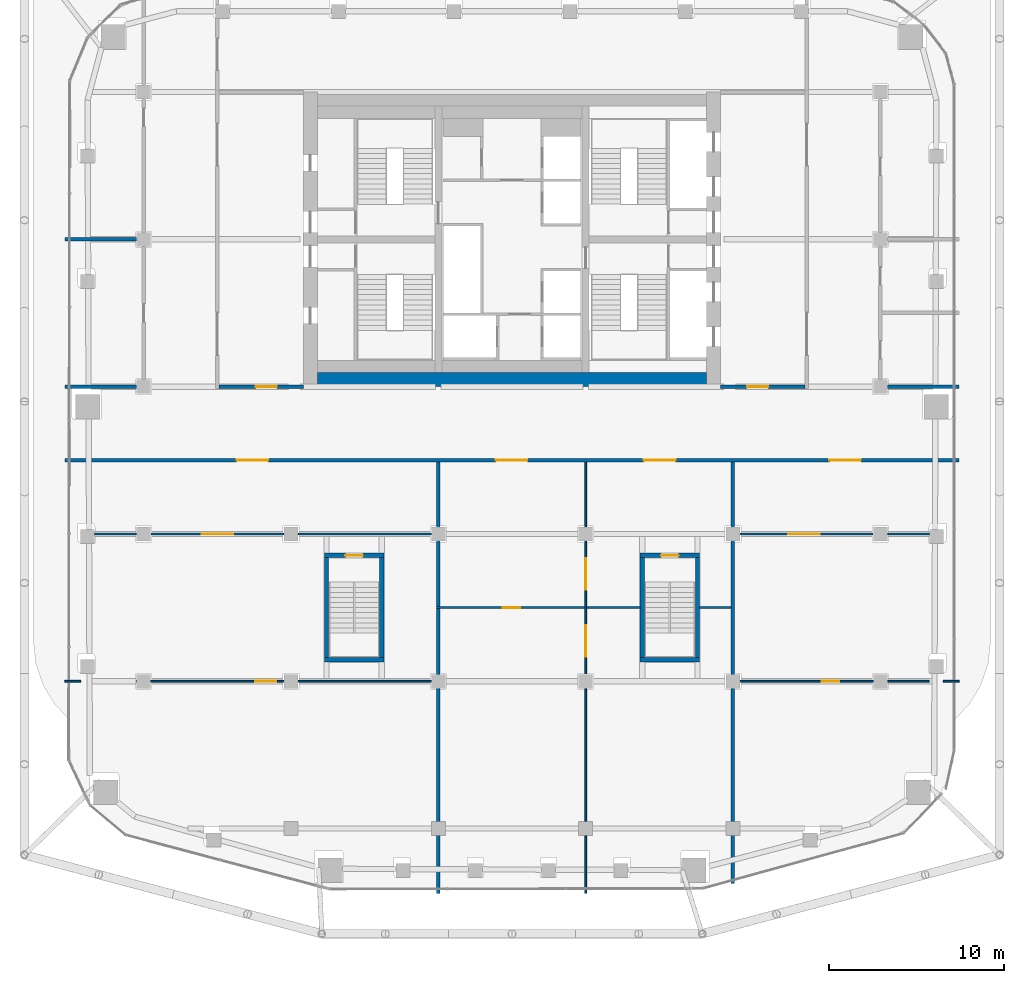
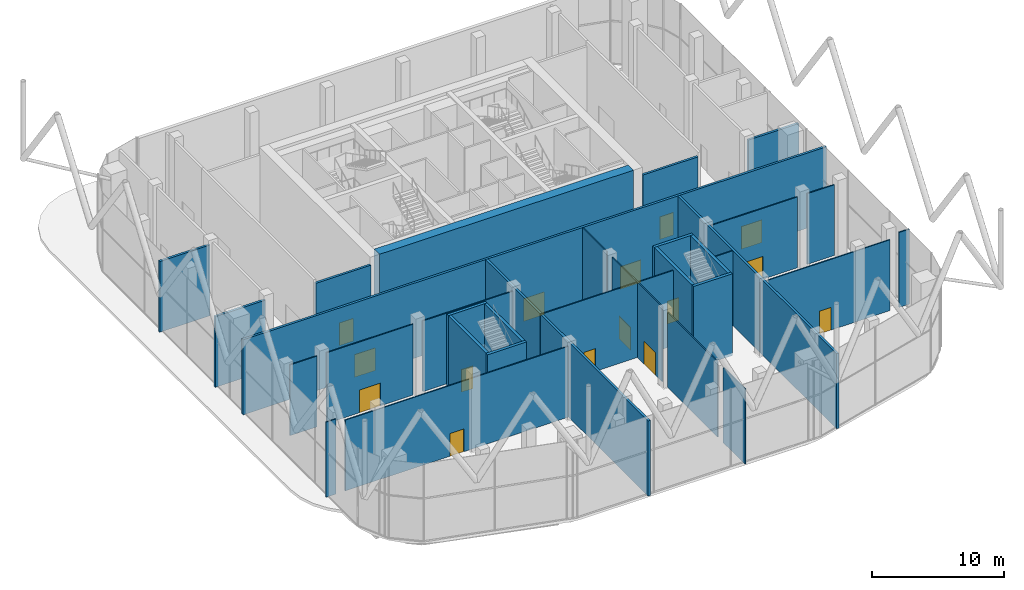
# One storey, part 19 of 25: 32 walls, 15 doors, 15 openings.
"""IFC4 building model written with IfcOpenShell, lengths in metres."""

from ifc_helpers import new_model, si_unit, direction, frame, frame_2d, origin, place, context, subcontext, project, spatial, rectangle, extrude, material, layer, layer_set, type_object, element, fill, save


model = new_model("IFC4")

# Units and contexts
model_context = context("Model", 3, precision=1e-05, world=origin(), true_north=direction((0.0, 1.0)))
body_context = subcontext(model_context, "Body", "Model", "MODEL_VIEW")
ifc_project = project(units=[si_unit("LENGTHUNIT", "METRE"), si_unit("AREAUNIT", "SQUARE_METRE"), si_unit("VOLUMEUNIT", "CUBIC_METRE"), si_unit("PLANEANGLEUNIT", "RADIAN"), si_unit("MASSUNIT", "GRAM", prefix="KILO")], contexts=[model_context])

# Site, building, storey
site_placement = place(None, origin())
site = spatial("IfcSite", under=ifc_project, at=site_placement, CompositionType="ELEMENT")
building_placement = place(site_placement, origin())
building = spatial("IfcBuilding", under=site, at=building_placement, Name="Marenta Gate Hotel Tower", CompositionType="ELEMENT")
storey_placement = place(building_placement, frame((0.0, 0.0, 180.5)))
storey = spatial("IfcBuildingStorey", under=building, at=storey_placement, Name="L41", CompositionType="ELEMENT", Elevation=180.5)

# Wall, opening, door
ifc_material_1 = material(Name="Concrete blockwork", Category="masonry")
ifc_layer_1 = layer(ifc_material_1, 0.199951171875)
ifc_layer_set_1 = layer_set([ifc_layer_1], Name="Concrete blockwork")
wall_type_1 = type_object("IfcWallType", Name="Core boundary wall 200 REI 180", PredefinedType="PARTITIONING", material=ifc_layer_set_1)
wall_1_placement = place(storey_placement, frame((-16.699951171875, 0.0, 0.0), z_axis=(0.0, 0.0, 1.0), x_axis=(1.0, 0.0, 0.0)))
wall_1 = element("IfcWall", 1, at=wall_1_placement, inside=storey, type_object=wall_type_1, Name="L41-CP-EW-WS", PredefinedType="PARTITIONING", context=body_context, shape_type="SweptSolid", body=[
    extrude(rectangle(XDim=4.800048828125, YDim=0.199951171875, at=frame_2d((2.39990234375, 0.0))), origin(), (0.0, 0.0, 1.0), 6.5400390625),
])
opening_1_placement = place(wall_1_placement, frame((2.10009765625, 0.0, 0.0)))
opening_1 = element("IfcOpeningElement", 2, at=opening_1_placement, cuts=wall_1, Name="Opening RS-Z3-1", PredefinedType="OPENING", context=body_context, shape_type="SweptSolid", body=[
    extrude(rectangle(XDim=1.199951171875, YDim=2.10009765625, at=frame_2d((0.60009765625, 1.050048828125))), frame((0.0, 0.10009765625, 0.0), z_axis=(0.0, -1.0, 0.0), x_axis=(1.0, 0.0, 0.0)), (0.0, 0.0, 1.0), 0.199951171875),
])
ifc_material_2 = material(Name="Steel", Category="steel")
door_type_1 = type_object("IfcDoorType", Name="Core lobby door 1200x2100 EI 60", OperationType="SINGLE_SWING_LEFT", PredefinedType="DOOR", material=ifc_material_2)
door_1_placement = place(opening_1_placement, origin())
door_1 = element("IfcDoor", 3, at=door_1_placement, inside=storey, type_object=door_type_1, Name="RS-Z3-1", OperationType="SINGLE_SWING_LEFT", OverallHeight=2.10009765625, OverallWidth=1.199951171875, PredefinedType="DOOR", context=body_context, shape_type="SweptSolid", body=[
    extrude(rectangle(XDim=1.199951171875, YDim=2.10009765625, at=frame_2d((0.60009765625, 1.050048828125))), frame((0.0, 0.02490234375, 0.0), z_axis=(0.0, -1.0, 0.0), x_axis=(1.0, 0.0, 0.0)), (0.0, 0.0, 1.0), 0.050048828125),
])
fill(opening_1, door_1)

wall_2_placement = place(storey_placement, frame((11.89990234375, 0.0, 0.0), z_axis=(0.0, 0.0, 1.0), x_axis=(1.0, 0.0, 0.0)))
wall_2 = element("IfcWall", 4, at=wall_2_placement, inside=storey, type_object=wall_type_1, Name="L41-CP-EW-ES", PredefinedType="PARTITIONING", context=body_context, shape_type="SweptSolid", body=[
    extrude(rectangle(XDim=4.800048828125, YDim=0.199951171875, at=frame_2d((2.39990234375, 0.0))), origin(), (0.0, 0.0, 1.0), 6.5400390625),
])
opening_2_placement = place(wall_2_placement, frame((1.5, 0.0, 0.0)))
opening_2 = element("IfcOpeningElement", 5, at=opening_2_placement, cuts=wall_2, Name="Opening RS-Z3-2", PredefinedType="OPENING", context=body_context, shape_type="SweptSolid", body=[
    extrude(rectangle(XDim=1.199951171875, YDim=2.10009765625, at=frame_2d((0.60009765625, 1.050048828125))), frame((0.0, 0.10009765625, 0.0), z_axis=(0.0, -1.0, 0.0), x_axis=(1.0, 0.0, 0.0)), (0.0, 0.0, 1.0), 0.199951171875),
])
door_2_placement = place(opening_2_placement, origin())
door_2 = element("IfcDoor", 6, at=door_2_placement, inside=storey, type_object=door_type_1, Name="RS-Z3-2", OperationType="SINGLE_SWING_LEFT", OverallHeight=2.10009765625, OverallWidth=1.199951171875, PredefinedType="DOOR", context=body_context, shape_type="SweptSolid", body=[
    extrude(rectangle(XDim=1.199951171875, YDim=2.10009765625, at=frame_2d((0.60009765625, 1.050048828125))), frame((0.0, 0.02490234375, 0.0), z_axis=(0.0, -1.0, 0.0), x_axis=(1.0, 0.0, 0.0)), (0.0, 0.0, 1.0), 0.050048828125),
])
fill(opening_2, door_2)

# Walls
ifc_material_3 = material(Name="Concrete C60", Category="concrete")
ifc_layer_2 = layer(ifc_material_3, 0.800048828125)
ifc_layer_set_2 = layer_set([ifc_layer_2], Name="Concrete C60")
wall_type_2 = type_object("IfcWallType", Name="Core wall 800 C60", PredefinedType="SHEAR", material=ifc_layer_set_2)
wall_3_placement = place(storey_placement, frame((-11.10009765625, 0.39990234375, 0.0), z_axis=(0.0, 0.0, 1.0), x_axis=(1.0, 0.0, 0.0)))
element("IfcWall", 7, at=wall_3_placement, inside=storey, type_object=wall_type_2, Name="L41-CORE-S", PredefinedType="SHEAR", context=body_context, shape_type="SweptSolid", body=[
    extrude(rectangle(XDim=22.2001953125, YDim=0.800048828125, at=frame_2d((11.10009765625, 0.0))), origin(), (0.0, 0.0, 1.0), 7.199951171875),
])
ifc_material_4 = material(Name="Concrete C40", Category="concrete")
ifc_layer_3 = layer(ifc_material_4, 0.25)
ifc_layer_set_3 = layer_set([ifc_layer_3], Name="Concrete C40")
wall_type_3 = type_object("IfcWallType", Name="Remote stair enclosure wall 250 REI 180", PredefinedType="SHEAR", material=ifc_layer_set_3)
wall_4_placement = place(storey_placement, frame((-10.699951171875, -15.574951171875, -0.260009765625), z_axis=(0.0, 0.0, 1.0), x_axis=(1.0, 0.0, 0.0)))
element("IfcWall", 8, at=wall_4_placement, inside=storey, type_object=wall_type_3, Name="L41-RS-Z3-1-W1", PredefinedType="SHEAR", context=body_context, shape_type="SweptSolid", body=[
    extrude(rectangle(XDim=3.39990234375, YDim=0.25, at=frame_2d((1.699951171875, 0.0))), origin(), (0.0, 0.0, 1.0), 7.56005859375),
])

# Wall, opening, door
wall_5_placement = place(storey_placement, frame((-10.699951171875, -9.625, -0.260009765625), z_axis=(0.0, 0.0, 1.0), x_axis=(1.0, 0.0, 0.0)))
wall_5 = element("IfcWall", 9, at=wall_5_placement, inside=storey, type_object=wall_type_3, Name="L41-RS-Z3-1-W2", PredefinedType="SHEAR", context=body_context, shape_type="SweptSolid", body=[
    extrude(rectangle(XDim=3.39990234375, YDim=0.25, at=frame_2d((1.699951171875, 0.0))), origin(), (0.0, 0.0, 1.0), 7.56005859375),
])
opening_3_placement = place(wall_5_placement, frame((1.199951171875, 0.0, 0.0)))
opening_3 = element("IfcOpeningElement", 10, at=opening_3_placement, cuts=wall_5, Name="Opening VD", PredefinedType="OPENING", context=body_context, shape_type="SweptSolid", body=[
    extrude(rectangle(XDim=1.0, YDim=2.10009765625, at=frame_2d((0.5, 1.050048828125))), frame((0.0, 0.125, 0.0), z_axis=(0.0, -1.0, 0.0), x_axis=(1.0, 0.0, 0.0)), (0.0, 0.0, 1.0), 0.25),
])
ifc_material_5 = material(Name="Steel", Category="steel")
door_type_2 = type_object("IfcDoorType", Name="Stair vestibule door 1000x2100 FD60", OperationType="SINGLE_SWING_LEFT", PredefinedType="DOOR", material=ifc_material_5)
door_3_placement = place(opening_3_placement, origin())
door_3 = element("IfcDoor", 11, at=door_3_placement, inside=storey, type_object=door_type_2, Name="VD", OperationType="SINGLE_SWING_LEFT", OverallHeight=2.10009765625, OverallWidth=1.0, PredefinedType="DOOR", context=body_context, shape_type="SweptSolid", body=[
    extrude(rectangle(XDim=1.0, YDim=2.10009765625, at=frame_2d((0.5, 1.050048828125))), frame((0.0, 0.02490234375, 0.0), z_axis=(0.0, -1.0, 0.0), x_axis=(1.0, 0.0, 0.0)), (0.0, 0.0, 1.0), 0.050048828125),
])
fill(opening_3, door_3)

# Walls
for number, where, z_axis, x_axis, name in (
    (12, (-10.574951171875, -15.449951171875, -0.260009765625), (0.0, 0.0, 1.0), (0.0, 1.0, 0.0), "L41-RS-Z3-1-W3"),
    (13, (-7.425048828125, -15.449951171875, -0.260009765625), (0.0, 0.0, 1.0), (0.0, 1.0, 0.0), "L41-RS-Z3-1-W4"),
):
    element("IfcWall", number, at=place(storey_placement, frame(where, z_axis=z_axis, x_axis=x_axis)), inside=storey, type_object=wall_type_3, Name=name, PredefinedType="SHEAR", context=body_context, shape_type="SweptSolid", body=[
        extrude(rectangle(XDim=5.699951171875, YDim=0.25, at=frame_2d((2.85009765625, 0.0))), origin(), (0.0, 0.0, 1.0), 7.56005859375),
    ])
wall_6_placement = place(storey_placement, frame((7.300048828125, -15.574951171875, -0.260009765625), z_axis=(0.0, 0.0, 1.0), x_axis=(1.0, 0.0, 0.0)))
element("IfcWall", 14, at=wall_6_placement, inside=storey, type_object=wall_type_3, Name="L41-RS-Z3-2-W1", PredefinedType="SHEAR", context=body_context, shape_type="SweptSolid", body=[
    extrude(rectangle(XDim=3.39990234375, YDim=0.25, at=frame_2d((1.699951171875, 0.0))), origin(), (0.0, 0.0, 1.0), 7.56005859375),
])

# Wall, opening, door
wall_7_placement = place(storey_placement, frame((7.300048828125, -9.625, -0.260009765625), z_axis=(0.0, 0.0, 1.0), x_axis=(1.0, 0.0, 0.0)))
wall_7 = element("IfcWall", 15, at=wall_7_placement, inside=storey, type_object=wall_type_3, Name="L41-RS-Z3-2-W2", PredefinedType="SHEAR", context=body_context, shape_type="SweptSolid", body=[
    extrude(rectangle(XDim=3.39990234375, YDim=0.25, at=frame_2d((1.699951171875, 0.0))), origin(), (0.0, 0.0, 1.0), 7.56005859375),
])
opening_4_placement = place(wall_7_placement, frame((1.199951171875, 0.0, 0.0)))
opening_4 = element("IfcOpeningElement", 16, at=opening_4_placement, cuts=wall_7, Name="Opening VD", PredefinedType="OPENING", context=body_context, shape_type="SweptSolid", body=[
    extrude(rectangle(XDim=1.0, YDim=2.10009765625, at=frame_2d((0.5, 1.050048828125))), frame((0.0, 0.125, 0.0), z_axis=(0.0, -1.0, 0.0), x_axis=(1.0, 0.0, 0.0)), (0.0, 0.0, 1.0), 0.25),
])
door_4_placement = place(opening_4_placement, origin())
door_4 = element("IfcDoor", 17, at=door_4_placement, inside=storey, type_object=door_type_2, Name="VD", OperationType="SINGLE_SWING_LEFT", OverallHeight=2.10009765625, OverallWidth=1.0, PredefinedType="DOOR", context=body_context, shape_type="SweptSolid", body=[
    extrude(rectangle(XDim=1.0, YDim=2.10009765625, at=frame_2d((0.5, 1.050048828125))), frame((0.0, 0.02490234375, 0.0), z_axis=(0.0, -1.0, 0.0), x_axis=(1.0, 0.0, 0.0)), (0.0, 0.0, 1.0), 0.050048828125),
])
fill(opening_4, door_4)

# Walls
for number, where, z_axis, x_axis, name in (
    (18, (7.425048828125, -15.449951171875, -0.260009765625), (0.0, 0.0, 1.0), (0.0, 1.0, 0.0), "L41-RS-Z3-2-W3"),
    (19, (10.574951171875, -15.449951171875, -0.260009765625), (0.0, 0.0, 1.0), (0.0, 1.0, 0.0), "L41-RS-Z3-2-W4"),
):
    element("IfcWall", number, at=place(storey_placement, frame(where, z_axis=z_axis, x_axis=x_axis)), inside=storey, type_object=wall_type_3, Name=name, PredefinedType="SHEAR", context=body_context, shape_type="SweptSolid", body=[
        extrude(rectangle(XDim=5.699951171875, YDim=0.25, at=frame_2d((2.85009765625, 0.0))), origin(), (0.0, 0.0, 1.0), 7.56005859375),
    ])

# Wall, openings, doors
ifc_material_6 = material(Name="Gypsum board on steel stud", Category="steel")
ifc_layer_4 = layer(ifc_material_6, 0.199951171875)
ifc_layer_set_4 = layer_set([ifc_layer_4], Name="Gypsum board on steel stud")
wall_type_4 = type_object("IfcWallType", Name="Room corridor wall 200 EI 60", PredefinedType="PARTITIONING", material=ifc_layer_set_4)
wall_8_placement = place(storey_placement, frame((-25.5, -4.199951171875, 0.0), z_axis=(0.0, 0.0, 1.0), x_axis=(1.0, 0.0, 0.0)))
wall_8 = element("IfcWall", 20, at=wall_8_placement, inside=storey, type_object=wall_type_4, Name="L41-PTN-W020", PredefinedType="PARTITIONING", context=body_context, shape_type="SweptSolid", body=[
    extrude(rectangle(XDim=51.0, YDim=0.199951171875, at=frame_2d((25.5, 0.0))), origin(), (0.0, 0.0, 1.0), 6.93994140625),
])
opening_5_placement = place(wall_8_placement, frame((9.800048828125, 0.0, 0.0)))
opening_5 = element("IfcOpeningElement", 21, at=opening_5_placement, cuts=wall_8, Name="Opening S10-07", PredefinedType="OPENING", context=body_context, shape_type="SweptSolid", body=[
    extrude(rectangle(XDim=1.800048828125, YDim=2.10009765625, at=frame_2d((0.89990234375, 1.050048828125))), frame((0.0, 0.10009765625, 0.0), z_axis=(0.0, -1.0, 0.0), x_axis=(1.0, 0.0, 0.0)), (0.0, 0.0, 1.0), 0.199951171875),
])
opening_6_placement = place(wall_8_placement, frame((24.574951171875, 0.0, 0.0)))
opening_6 = element("IfcOpeningElement", 22, at=opening_6_placement, cuts=wall_8, Name="Opening S10-09", PredefinedType="OPENING", context=body_context, shape_type="SweptSolid", body=[
    extrude(rectangle(XDim=1.800048828125, YDim=2.10009765625, at=frame_2d((0.89990234375, 1.050048828125))), frame((0.0, 0.10009765625, 0.0), z_axis=(0.0, -1.0, 0.0), x_axis=(1.0, 0.0, 0.0)), (0.0, 0.0, 1.0), 0.199951171875),
])
opening_7_placement = place(wall_8_placement, frame((33.02490234375, 0.0, 0.0)))
opening_7 = element("IfcOpeningElement", 23, at=opening_7_placement, cuts=wall_8, Name="Opening S10-10", PredefinedType="OPENING", context=body_context, shape_type="SweptSolid", body=[
    extrude(rectangle(XDim=1.800048828125, YDim=2.10009765625, at=frame_2d((0.89990234375, 1.050048828125))), frame((0.0, 0.10009765625, 0.0), z_axis=(0.0, -1.0, 0.0), x_axis=(1.0, 0.0, 0.0)), (0.0, 0.0, 1.0), 0.199951171875),
])
opening_8_placement = place(wall_8_placement, frame((43.60009765625, 0.0, 0.0)))
opening_8 = element("IfcOpeningElement", 24, at=opening_8_placement, cuts=wall_8, Name="Opening S10-12", PredefinedType="OPENING", context=body_context, shape_type="SweptSolid", body=[
    extrude(rectangle(XDim=1.800048828125, YDim=2.10009765625, at=frame_2d((0.89990234375, 1.050048828125))), frame((0.0, 0.10009765625, 0.0), z_axis=(0.0, -1.0, 0.0), x_axis=(1.0, 0.0, 0.0)), (0.0, 0.0, 1.0), 0.199951171875),
])
ifc_material_7 = material(Name="Timber door leaf", Category="wood")
door_type_3 = type_object("IfcDoorType", Name="Room amenity door 1800x2100 EI 30", OperationType="DOUBLE_DOOR_SINGLE_SWING", PredefinedType="DOOR", material=ifc_material_7)
door_5_placement = place(opening_5_placement, origin())
door_5 = element("IfcDoor", 25, at=door_5_placement, inside=storey, type_object=door_type_3, Name="L41-PD-D007", OperationType="DOUBLE_DOOR_SINGLE_SWING", OverallHeight=2.10009765625, OverallWidth=1.800048828125, PredefinedType="DOOR", context=body_context, shape_type="SweptSolid", body=[
    extrude(rectangle(XDim=1.800048828125, YDim=2.10009765625, at=frame_2d((0.89990234375, 1.050048828125))), frame((0.0, 0.02490234375, 0.0), z_axis=(0.0, -1.0, 0.0), x_axis=(1.0, 0.0, 0.0)), (0.0, 0.0, 1.0), 0.050048828125),
])
fill(opening_5, door_5)
door_6_placement = place(opening_6_placement, origin())
door_6 = element("IfcDoor", 26, at=door_6_placement, inside=storey, type_object=door_type_3, Name="L41-PD-D009", OperationType="DOUBLE_DOOR_SINGLE_SWING", OverallHeight=2.10009765625, OverallWidth=1.800048828125, PredefinedType="DOOR", context=body_context, shape_type="SweptSolid", body=[
    extrude(rectangle(XDim=1.800048828125, YDim=2.10009765625, at=frame_2d((0.89990234375, 1.050048828125))), frame((0.0, 0.02490234375, 0.0), z_axis=(0.0, -1.0, 0.0), x_axis=(1.0, 0.0, 0.0)), (0.0, 0.0, 1.0), 0.050048828125),
])
fill(opening_6, door_6)
door_7_placement = place(opening_7_placement, origin())
door_7 = element("IfcDoor", 27, at=door_7_placement, inside=storey, type_object=door_type_3, Name="L41-PD-D010", OperationType="DOUBLE_DOOR_SINGLE_SWING", OverallHeight=2.10009765625, OverallWidth=1.800048828125, PredefinedType="DOOR", context=body_context, shape_type="SweptSolid", body=[
    extrude(rectangle(XDim=1.800048828125, YDim=2.10009765625, at=frame_2d((0.89990234375, 1.050048828125))), frame((0.0, 0.02490234375, 0.0), z_axis=(0.0, -1.0, 0.0), x_axis=(1.0, 0.0, 0.0)), (0.0, 0.0, 1.0), 0.050048828125),
])
fill(opening_7, door_7)
door_8_placement = place(opening_8_placement, origin())
door_8 = element("IfcDoor", 28, at=door_8_placement, inside=storey, type_object=door_type_3, Name="L41-PD-D012", OperationType="DOUBLE_DOOR_SINGLE_SWING", OverallHeight=2.10009765625, OverallWidth=1.800048828125, PredefinedType="DOOR", context=body_context, shape_type="SweptSolid", body=[
    extrude(rectangle(XDim=1.800048828125, YDim=2.10009765625, at=frame_2d((0.89990234375, 1.050048828125))), frame((0.0, 0.02490234375, 0.0), z_axis=(0.0, -1.0, 0.0), x_axis=(1.0, 0.0, 0.0)), (0.0, 0.0, 1.0), 0.050048828125),
])
fill(opening_8, door_8)

# Walls
for number, where, z_axis, x_axis, name in (
    (29, (-25.5, 0.0, 0.0), (0.0, 0.0, 1.0), (1.0, 0.0, 0.0), "L41-PTN-W021"),
    (30, (21.10009765625, 0.0, 0.0), (0.0, 0.0, 1.0), (1.0, 0.0, 0.0), "L41-PTN-W022"),
):
    element("IfcWall", number, at=place(storey_placement, frame(where, z_axis=z_axis, x_axis=x_axis)), inside=storey, type_object=wall_type_4, Name=name, PredefinedType="PARTITIONING", context=body_context, shape_type="SweptSolid", body=[
        extrude(rectangle(XDim=4.39990234375, YDim=0.199951171875, at=frame_2d((2.199951171875, 0.0))), origin(), (0.0, 0.0, 1.0), 6.5400390625),
    ])
ifc_material_8 = material(Name="Gypsum board on steel stud", Category="steel")
ifc_layer_5 = layer(ifc_material_8, 0.10009765625)
ifc_layer_set_5 = layer_set([ifc_layer_5], Name="Gypsum board on steel stud")
wall_type_5 = type_object("IfcWallType", Name="Room partition 100", PredefinedType="PARTITIONING", material=ifc_layer_set_5)
wall_9_placement = place(storey_placement, frame((-25.5, -16.800048828125, 0.0), z_axis=(0.0, 0.0, 1.0), x_axis=(1.0, 0.0, 0.0)))
element("IfcWall", 31, at=wall_9_placement, inside=storey, type_object=wall_type_5, Name="L41-PTN-W004", PredefinedType="PARTITIONING", context=body_context, shape_type="SweptSolid", body=[
    extrude(rectangle(XDim=0.89990234375, YDim=0.10009765625, at=frame_2d((0.449951171875, 0.0))), origin(), (0.0, 0.0, 1.0), 6.93994140625),
])

# Wall, opening, door
wall_10_placement = place(storey_placement, frame((-23.800048828125, -16.800048828125, 0.0), z_axis=(0.0, 0.0, 1.0), x_axis=(1.0, 0.0, 0.0)))
wall_10 = element("IfcWall", 32, at=wall_10_placement, inside=storey, type_object=wall_type_5, Name="L41-PTN-W005", PredefinedType="PARTITIONING", context=body_context, shape_type="SweptSolid", body=[
    extrude(rectangle(XDim=19.5, YDim=0.10009765625, at=frame_2d((9.75, 0.0))), origin(), (0.0, 0.0, 1.0), 6.5400390625),
])
opening_9_placement = place(wall_10_placement, frame((9.14990234375, 0.0, 0.0)))
opening_9 = element("IfcOpeningElement", 33, at=opening_9_placement, cuts=wall_10, Name="Opening S10-08", PredefinedType="OPENING", context=body_context, shape_type="SweptSolid", body=[
    extrude(rectangle(XDim=1.199951171875, YDim=2.10009765625, at=frame_2d((0.60009765625, 1.050048828125))), frame((0.0, 0.050048828125, 0.0), z_axis=(0.0, -1.0, 0.0), x_axis=(1.0, 0.0, 0.0)), (0.0, 0.0, 1.0), 0.10009765625),
])
ifc_material_9 = material(Name="Hollow steel door set", Category="steel")
door_type_4 = type_object("IfcDoorType", Name="Kitchen room door 1200x2100", OperationType="NOTDEFINED", PredefinedType="DOOR", material=ifc_material_9)
door_9_placement = place(opening_9_placement, origin())
door_9 = element("IfcDoor", 34, at=door_9_placement, inside=storey, type_object=door_type_4, Name="L41-PD-D008", OperationType="SINGLE_SWING_LEFT", OverallHeight=2.10009765625, OverallWidth=1.199951171875, PredefinedType="DOOR", context=body_context, shape_type="SweptSolid", body=[
    extrude(rectangle(XDim=1.199951171875, YDim=2.10009765625, at=frame_2d((0.60009765625, 1.050048828125))), frame((0.0, 0.02490234375, 0.0), z_axis=(0.0, -1.0, 0.0), x_axis=(1.0, 0.0, 0.0)), (0.0, 0.0, 1.0), 0.050048828125),
])
fill(opening_9, door_9)

wall_11_placement = place(storey_placement, frame((12.5, -16.800048828125, 0.0), z_axis=(0.0, 0.0, 1.0), x_axis=(1.0, 0.0, 0.0)))
wall_11 = element("IfcWall", 35, at=wall_11_placement, inside=storey, type_object=wall_type_5, Name="L41-PTN-W006", PredefinedType="PARTITIONING", context=body_context, shape_type="SweptSolid", body=[
    extrude(rectangle(XDim=11.300048828125, YDim=0.10009765625, at=frame_2d((5.64990234375, 0.0))), origin(), (0.0, 0.0, 1.0), 6.5400390625),
])
opening_10_placement = place(wall_11_placement, frame((5.14990234375, 0.0, 0.0)))
opening_10 = element("IfcOpeningElement", 36, at=opening_10_placement, cuts=wall_11, Name="Opening S10-13", PredefinedType="OPENING", context=body_context, shape_type="SweptSolid", body=[
    extrude(rectangle(XDim=1.0, YDim=2.10009765625, at=frame_2d((0.5, 1.050048828125))), frame((0.0, 0.050048828125, 0.0), z_axis=(0.0, -1.0, 0.0), x_axis=(1.0, 0.0, 0.0)), (0.0, 0.0, 1.0), 0.10009765625),
])
ifc_material_10 = material(Name="Hollow steel door set", Category="steel")
door_type_5 = type_object("IfcDoorType", Name="Room service door 1000x2100", OperationType="NOTDEFINED", PredefinedType="DOOR", material=ifc_material_10)
door_10_placement = place(opening_10_placement, origin())
door_10 = element("IfcDoor", 37, at=door_10_placement, inside=storey, type_object=door_type_5, Name="L41-PD-D013", OperationType="SINGLE_SWING_LEFT", OverallHeight=2.10009765625, OverallWidth=1.0, PredefinedType="DOOR", context=body_context, shape_type="SweptSolid", body=[
    extrude(rectangle(XDim=1.0, YDim=2.10009765625, at=frame_2d((0.5, 1.050048828125))), frame((0.0, 0.02490234375, 0.0), z_axis=(0.0, -1.0, 0.0), x_axis=(1.0, 0.0, 0.0)), (0.0, 0.0, 1.0), 0.050048828125),
])
fill(opening_10, door_10)

# Wall
wall_12_placement = place(storey_placement, frame((24.60009765625, -16.800048828125, 0.0), z_axis=(0.0, 0.0, 1.0), x_axis=(1.0, 0.0, 0.0)))
element("IfcWall", 38, at=wall_12_placement, inside=storey, type_object=wall_type_5, Name="L41-PTN-W007", PredefinedType="PARTITIONING", context=body_context, shape_type="SweptSolid", body=[
    extrude(rectangle(XDim=0.89990234375, YDim=0.10009765625, at=frame_2d((0.449951171875, 0.0))), origin(), (0.0, 0.0, 1.0), 6.93994140625),
])

# Wall, opening, door
wall_13_placement = place(storey_placement, frame((-4.300048828125, -12.60009765625, 0.0), z_axis=(0.0, 0.0, 1.0), x_axis=(1.0, 0.0, 0.0)))
wall_13 = element("IfcWall", 39, at=wall_13_placement, inside=storey, type_object=wall_type_5, Name="L41-PTN-W009", PredefinedType="PARTITIONING", context=body_context, shape_type="SweptSolid", body=[
    extrude(rectangle(XDim=11.60009765625, YDim=0.10009765625, at=frame_2d((5.800048828125, 0.0))), origin(), (0.0, 0.0, 1.0), 6.93994140625),
])
opening_11_placement = place(wall_13_placement, frame((3.77490234375, 0.0, 0.0)))
opening_11 = element("IfcOpeningElement", 40, at=opening_11_placement, cuts=wall_13, Name="Opening S10-11", PredefinedType="OPENING", context=body_context, shape_type="SweptSolid", body=[
    extrude(rectangle(XDim=1.0, YDim=2.10009765625, at=frame_2d((0.5, 1.050048828125))), frame((0.0, 0.050048828125, 0.0), z_axis=(0.0, -1.0, 0.0), x_axis=(1.0, 0.0, 0.0)), (0.0, 0.0, 1.0), 0.10009765625),
])
door_11_placement = place(opening_11_placement, origin())
door_11 = element("IfcDoor", 41, at=door_11_placement, inside=storey, type_object=door_type_5, Name="L41-PD-D011", OperationType="SINGLE_SWING_RIGHT", OverallHeight=2.10009765625, OverallWidth=1.0, PredefinedType="DOOR", context=body_context, shape_type="SweptSolid", body=[
    extrude(rectangle(XDim=1.0, YDim=2.10009765625, at=frame_2d((0.5, 1.050048828125))), frame((0.0, 0.02490234375, 0.0), z_axis=(0.0, -1.0, 0.0), x_axis=(1.0, 0.0, 0.0)), (0.0, 0.0, 1.0), 0.050048828125),
])
fill(opening_11, door_11)

# Walls
wall_14_placement = place(storey_placement, frame((10.699951171875, -12.60009765625, 0.0), z_axis=(0.0, 0.0, 1.0), x_axis=(1.0, 0.0, 0.0)))
element("IfcWall", 42, at=wall_14_placement, inside=storey, type_object=wall_type_5, Name="L41-PTN-W010", PredefinedType="PARTITIONING", context=body_context, shape_type="SweptSolid", body=[
    extrude(rectangle(XDim=1.800048828125, YDim=0.10009765625, at=frame_2d((0.89990234375, 0.0))), origin(), (0.0, 0.0, 1.0), 6.93994140625),
])
wall_15_placement = place(storey_placement, frame((-23.800048828125, -8.39990234375, 0.0), z_axis=(0.0, 0.0, 1.0), x_axis=(1.0, 0.0, 0.0)))
element("IfcWall", 43, at=wall_15_placement, inside=storey, type_object=wall_type_5, Name="L41-PTN-W011", PredefinedType="PARTITIONING", context=body_context, shape_type="SweptSolid", body=[
    extrude(rectangle(XDim=2.380126953125, YDim=0.10009765625, at=frame_2d((1.18994140625, 0.0))), origin(), (0.0, 0.0, 1.0), 6.5400390625),
])

# Wall, opening, door
wall_16_placement = place(storey_placement, frame((-20.580078125, -8.39990234375, 0.0), z_axis=(0.0, 0.0, 1.0), x_axis=(1.0, 0.0, 0.0)))
wall_16 = element("IfcWall", 44, at=wall_16_placement, inside=storey, type_object=wall_type_5, Name="L41-PTN-W012", PredefinedType="PARTITIONING", context=body_context, shape_type="SweptSolid", body=[
    extrude(rectangle(XDim=7.56005859375, YDim=0.10009765625, at=frame_2d((3.780029296875, 0.0))), origin(), (0.0, 0.0, 1.0), 6.5400390625),
])
opening_12_placement = place(wall_16_placement, frame((2.8798828125, 0.0, 0.0)))
opening_12 = element("IfcOpeningElement", 45, at=opening_12_placement, cuts=wall_16, Name="Opening S10-14", PredefinedType="OPENING", context=body_context, shape_type="SweptSolid", body=[
    extrude(rectangle(XDim=1.800048828125, YDim=2.10009765625, at=frame_2d((0.89990234375, 1.050048828125))), frame((0.0, 0.050048828125, 0.0), z_axis=(0.0, -1.0, 0.0), x_axis=(1.0, 0.0, 0.0)), (0.0, 0.0, 1.0), 0.10009765625),
])
ifc_material_11 = material(Name="Timber door leaf", Category="wood")
door_type_6 = type_object("IfcDoorType", Name="Room amenity door 1800x2100", OperationType="DOUBLE_DOOR_SINGLE_SWING", PredefinedType="DOOR", material=ifc_material_11)
door_12_placement = place(opening_12_placement, origin())
door_12 = element("IfcDoor", 46, at=door_12_placement, inside=storey, type_object=door_type_6, Name="L41-PD-D014", OperationType="DOUBLE_DOOR_SINGLE_SWING", OverallHeight=2.10009765625, OverallWidth=1.800048828125, PredefinedType="DOOR", context=body_context, shape_type="SweptSolid", body=[
    extrude(rectangle(XDim=1.800048828125, YDim=2.10009765625, at=frame_2d((0.89990234375, 1.050048828125))), frame((0.0, 0.02490234375, 0.0), z_axis=(0.0, -1.0, 0.0), x_axis=(1.0, 0.0, 0.0)), (0.0, 0.0, 1.0), 0.050048828125),
])
fill(opening_12, door_12)

# Wall
wall_17_placement = place(storey_placement, frame((-12.179931640625, -8.39990234375, 0.0), z_axis=(0.0, 0.0, 1.0), x_axis=(1.0, 0.0, 0.0)))
element("IfcWall", 47, at=wall_17_placement, inside=storey, type_object=wall_type_5, Name="L41-PTN-W013", PredefinedType="PARTITIONING", context=body_context, shape_type="SweptSolid", body=[
    extrude(rectangle(XDim=7.8798828125, YDim=0.10009765625, at=frame_2d((3.93994140625, 0.0))), origin(), (0.0, 0.0, 1.0), 6.5400390625),
])

# Wall, opening, door
wall_18_placement = place(storey_placement, frame((12.699951171875, -8.39990234375, 0.0), z_axis=(0.0, 0.0, 1.0), x_axis=(1.0, 0.0, 0.0)))
wall_18 = element("IfcWall", 48, at=wall_18_placement, inside=storey, type_object=wall_type_5, Name="L41-PTN-W014", PredefinedType="PARTITIONING", context=body_context, shape_type="SweptSolid", body=[
    extrude(rectangle(XDim=7.880126953125, YDim=0.10009765625, at=frame_2d((3.93994140625, 0.0))), origin(), (0.0, 0.0, 1.0), 6.5400390625),
])
opening_13_placement = place(wall_18_placement, frame((3.0400390625, 0.0, 0.0)))
opening_13 = element("IfcOpeningElement", 49, at=opening_13_placement, cuts=wall_18, Name="Opening S10-17", PredefinedType="OPENING", context=body_context, shape_type="SweptSolid", body=[
    extrude(rectangle(XDim=1.800048828125, YDim=2.10009765625, at=frame_2d((0.89990234375, 1.050048828125))), frame((0.0, 0.050048828125, 0.0), z_axis=(0.0, -1.0, 0.0), x_axis=(1.0, 0.0, 0.0)), (0.0, 0.0, 1.0), 0.10009765625),
])
door_13_placement = place(opening_13_placement, origin())
door_13 = element("IfcDoor", 50, at=door_13_placement, inside=storey, type_object=door_type_6, Name="L41-PD-D017", OperationType="DOUBLE_DOOR_SINGLE_SWING", OverallHeight=2.10009765625, OverallWidth=1.800048828125, PredefinedType="DOOR", context=body_context, shape_type="SweptSolid", body=[
    extrude(rectangle(XDim=1.800048828125, YDim=2.10009765625, at=frame_2d((0.89990234375, 1.050048828125))), frame((0.0, 0.02490234375, 0.0), z_axis=(0.0, -1.0, 0.0), x_axis=(1.0, 0.0, 0.0)), (0.0, 0.0, 1.0), 0.050048828125),
])
fill(opening_13, door_13)

# Walls
wall_19_placement = place(storey_placement, frame((21.419921875, -8.39990234375, 0.0), z_axis=(0.0, 0.0, 1.0), x_axis=(1.0, 0.0, 0.0)))
element("IfcWall", 51, at=wall_19_placement, inside=storey, type_object=wall_type_5, Name="L41-PTN-W015", PredefinedType="PARTITIONING", context=body_context, shape_type="SweptSolid", body=[
    extrude(rectangle(XDim=2.380126953125, YDim=0.10009765625, at=frame_2d((1.18994140625, 0.0))), origin(), (0.0, 0.0, 1.0), 6.5400390625),
])
wall_20_placement = place(storey_placement, frame((4.199951171875, -28.89990234375, 0.0), z_axis=(0.0, 0.0, 1.0), x_axis=(0.0, 1.0, 0.0)))
element("IfcWall", 52, at=wall_20_placement, inside=storey, type_object=wall_type_5, Name="L41-PTN-W016", PredefinedType="PARTITIONING", context=body_context, shape_type="SweptSolid", body=[
    extrude(rectangle(XDim=3.27978515625, YDim=0.10009765625, at=frame_2d((1.639892578125, 0.0))), origin(), (0.0, 0.0, 1.0), 6.93994140625),
])
wall_21_placement = place(storey_placement, frame((4.199951171875, -24.780029296875, 0.0), z_axis=(0.0, 0.0, 1.0), x_axis=(0.0, 1.0, 0.0)))
element("IfcWall", 53, at=wall_21_placement, inside=storey, type_object=wall_type_5, Name="L41-PTN-W017", PredefinedType="PARTITIONING", context=body_context, shape_type="SweptSolid", body=[
    extrude(rectangle(XDim=7.56005859375, YDim=0.10009765625, at=frame_2d((3.780029296875, 0.0))), origin(), (0.0, 0.0, 1.0), 6.93994140625),
])

# Wall, openings, doors
wall_22_placement = place(storey_placement, frame((4.199951171875, -16.3798828125, 0.0), z_axis=(0.0, 0.0, 1.0), x_axis=(0.0, 1.0, 0.0)))
wall_22 = element("IfcWall", 54, at=wall_22_placement, inside=storey, type_object=wall_type_5, Name="L41-PTN-W018", PredefinedType="PARTITIONING", context=body_context, shape_type="SweptSolid", body=[
    extrude(rectangle(XDim=7.559814453125, YDim=0.10009765625, at=frame_2d((3.77978515625, 0.0))), origin(), (0.0, 0.0, 1.0), 6.93994140625),
])
opening_14_placement = place(wall_22_placement, frame((4.794921875, 0.0, 0.0)))
opening_14 = element("IfcOpeningElement", 55, at=opening_14_placement, cuts=wall_22, Name="Opening S10-15", PredefinedType="OPENING", context=body_context, shape_type="SweptSolid", body=[
    extrude(rectangle(XDim=1.800048828125, YDim=2.10009765625, at=frame_2d((0.89990234375, 1.050048828125))), frame((0.0, 0.050048828125, 0.0), z_axis=(0.0, -1.0, 0.0), x_axis=(1.0, 0.0, 0.0)), (0.0, 0.0, 1.0), 0.10009765625),
])
opening_15_placement = place(wall_22_placement, frame((0.965087890625, 0.0, 0.0)))
opening_15 = element("IfcOpeningElement", 56, at=opening_15_placement, cuts=wall_22, Name="Opening S10-16", PredefinedType="OPENING", context=body_context, shape_type="SweptSolid", body=[
    extrude(rectangle(XDim=1.800048828125, YDim=2.10009765625, at=frame_2d((0.89990234375, 1.050048828125))), frame((0.0, 0.050048828125, 0.0), z_axis=(0.0, -1.0, 0.0), x_axis=(1.0, 0.0, 0.0)), (0.0, 0.0, 1.0), 0.10009765625),
])
door_14_placement = place(opening_14_placement, origin())
door_14 = element("IfcDoor", 57, at=door_14_placement, inside=storey, type_object=door_type_6, Name="L41-PD-D015", OperationType="DOUBLE_DOOR_SINGLE_SWING", OverallHeight=2.10009765625, OverallWidth=1.800048828125, PredefinedType="DOOR", context=body_context, shape_type="SweptSolid", body=[
    extrude(rectangle(XDim=1.800048828125, YDim=2.10009765625, at=frame_2d((0.89990234375, 1.050048828125))), frame((0.0, 0.02490234375, 0.0), z_axis=(0.0, -1.0, 0.0), x_axis=(1.0, 0.0, 0.0)), (0.0, 0.0, 1.0), 0.050048828125),
])
fill(opening_14, door_14)
door_15_placement = place(opening_15_placement, origin())
door_15 = element("IfcDoor", 58, at=door_15_placement, inside=storey, type_object=door_type_6, Name="L41-PD-D016", OperationType="DOUBLE_DOOR_SINGLE_SWING", OverallHeight=2.10009765625, OverallWidth=1.800048828125, PredefinedType="DOOR", context=body_context, shape_type="SweptSolid", body=[
    extrude(rectangle(XDim=1.800048828125, YDim=2.10009765625, at=frame_2d((0.89990234375, 1.050048828125))), frame((0.0, 0.02490234375, 0.0), z_axis=(0.0, -1.0, 0.0), x_axis=(1.0, 0.0, 0.0)), (0.0, 0.0, 1.0), 0.050048828125),
])
fill(opening_15, door_15)

# Walls
wall_23_placement = place(storey_placement, frame((4.199951171875, -7.97998046875, 0.0), z_axis=(0.0, 0.0, 1.0), x_axis=(0.0, 1.0, 0.0)))
element("IfcWall", 59, at=wall_23_placement, inside=storey, type_object=wall_type_5, Name="L41-PTN-W019", PredefinedType="PARTITIONING", context=body_context, shape_type="SweptSolid", body=[
    extrude(rectangle(XDim=3.679931640625, YDim=0.10009765625, at=frame_2d((1.83984375, 0.0))), origin(), (0.0, 0.0, 1.0), 6.93994140625),
])
ifc_material_12 = material(Name="Concrete blockwork", Category="masonry")
ifc_layer_6 = layer(ifc_material_12, 0.199951171875)
ifc_layer_set_6 = layer_set([ifc_layer_6], Name="Concrete blockwork")
wall_type_6 = type_object("IfcWallType", Name="Room party wall 200 EI 120", PredefinedType="PARTITIONING", material=ifc_layer_set_6)
wall_24_placement = place(storey_placement, frame((12.60009765625, -28.343017578125, 0.0), z_axis=(0.0, 0.0, 1.0), x_axis=(0.0, 1.0, 0.0)))
element("IfcWall", 60, at=wall_24_placement, inside=storey, type_object=wall_type_6, Name="L41-PTN-W008", PredefinedType="PARTITIONING", context=body_context, shape_type="SweptSolid", body=[
    extrude(rectangle(XDim=24.04296875, YDim=0.199951171875, at=frame_2d((12.021484375, 0.0))), origin(), (0.0, 0.0, 1.0), 6.93994140625),
])
wall_25_placement = place(storey_placement, frame((-4.199951171875, -28.89990234375, 0.0), z_axis=(0.0, 0.0, 1.0), x_axis=(0.0, 1.0, 0.0)))
element("IfcWall", 61, at=wall_25_placement, inside=storey, type_object=wall_type_6, Name="L41-PTN-W023", PredefinedType="PARTITIONING", context=body_context, shape_type="SweptSolid", body=[
    extrude(rectangle(XDim=24.599853515625, YDim=0.199951171875, at=frame_2d((12.2998046875, 0.0))), origin(), (0.0, 0.0, 1.0), 6.93994140625),
])
ifc_material_13 = material(Name="Gypsum board on steel stud", Category="steel")
ifc_layer_7 = layer(ifc_material_13, 0.199951171875)
ifc_layer_set_7 = layer_set([ifc_layer_7], Name="Gypsum board on steel stud")
wall_type_7 = type_object("IfcWallType", Name="Room party wall 200 EI 60", PredefinedType="PARTITIONING", material=ifc_layer_set_7)
wall_26_placement = place(storey_placement, frame((-25.5, 8.39990234375, 0.0), z_axis=(0.0, 0.0, 1.0), x_axis=(1.0, 0.0, 0.0)))
element("IfcWall", 62, at=wall_26_placement, inside=storey, type_object=wall_type_7, Name="L41-PTN-W025", PredefinedType="PARTITIONING", context=body_context, shape_type="SweptSolid", body=[
    extrude(rectangle(XDim=4.39990234375, YDim=0.199951171875, at=frame_2d((2.199951171875, 0.0))), origin(), (0.0, 0.0, 1.0), 6.5400390625),
])

save(model, "model.ifc")
